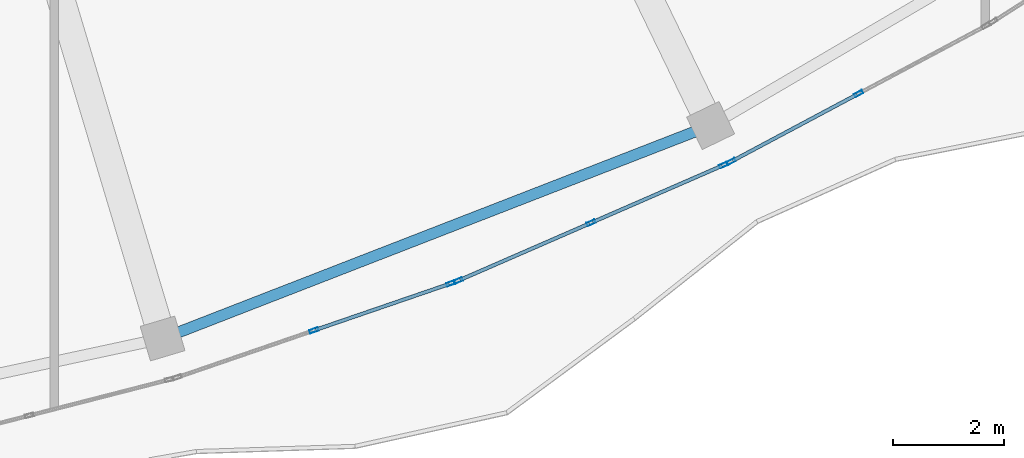
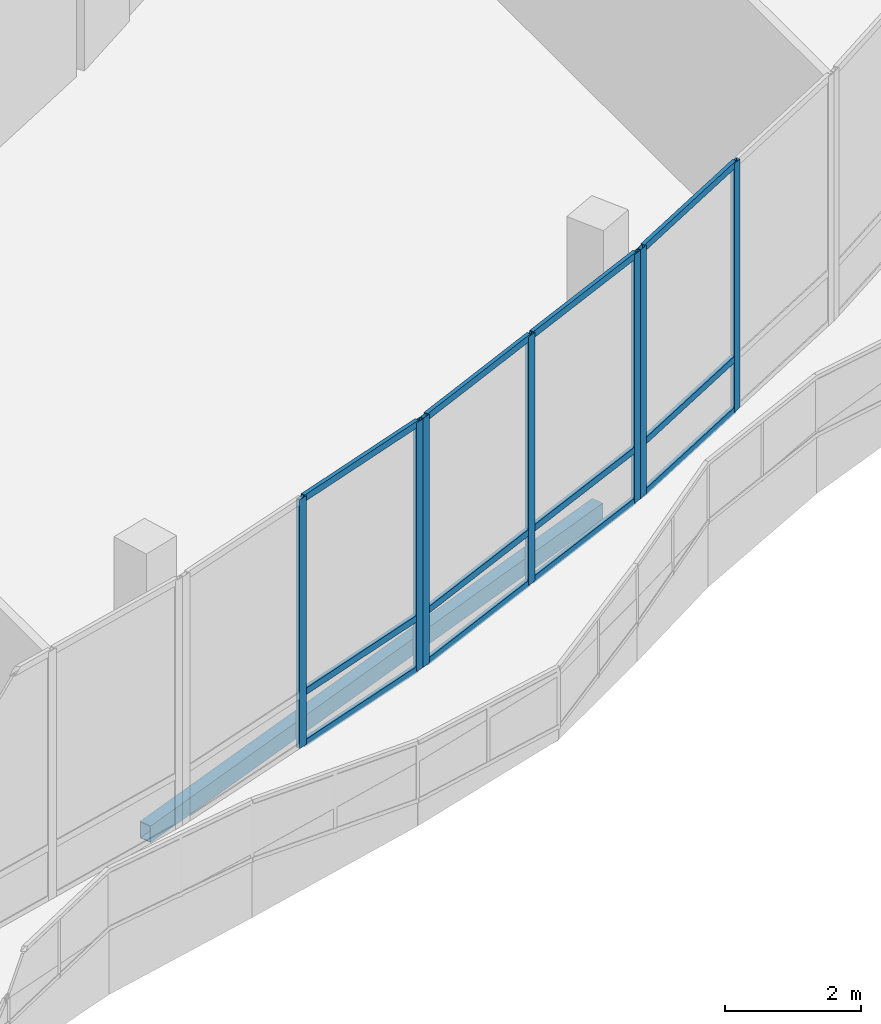
# One storey, part 39 of 155: 19 members, 1 beam, 3 elements without a shape of their own.
"""IFC4 building model written with IfcOpenShell, lengths in metres."""

import ifcopenshell
import ifcopenshell.guid

model = None  # the IFC model being written
_history = None  # IfcOwnerHistory: only IFC2X3 demands one
_inside = {}  # id of a spatial element -> (the spatial element, [elements in it])
_under = {}  # id of a project, library or spatial element -> (it, [spatial elements below it])
_declared = {}  # id of a project -> (the project, [libraries it declares])
_typed = {}  # id of a type object -> (the type object, [elements of that type])
_made_of = {}  # id of a material, layer set ... -> (it, [elements and type objects made of it])


def new_model(schema):
    """Start an empty IFC model of exactly this schema.

    Asked for "IFC4X3", IfcOpenShell would pick the latest addendum, in which some entities
    have other attributes; the version numbers below select the first issue.
    IFC2X3 requires an IfcOwnerHistory on every rooted entity: one is made here for all.
    """
    global model, _history
    if schema == "IFC4X3":
        model = ifcopenshell.file(schema_version=(4, 3, 0, 0))
    else:
        model = ifcopenshell.file(schema=schema)
    _inside.clear()
    _under.clear()
    _declared.clear()
    _typed.clear()
    _made_of.clear()
    _history = None
    if model.schema == "IFC2X3":
        org = make("IfcOrganization", Name="unknown")
        user = make(
            "IfcPersonAndOrganization",
            ThePerson=make("IfcPerson", FamilyName="unknown"),
            TheOrganization=org,
        )
        app = make(
            "IfcApplication",
            ApplicationDeveloper=org,
            Version="unknown",
            ApplicationFullName="unknown",
            ApplicationIdentifier="unknown",
        )
        _history = make(
            "IfcOwnerHistory",
            OwningUser=user,
            OwningApplication=app,
            ChangeAction="ADDED",
            CreationDate=0,
        )
    return model


def make(cls, **values):
    """One entity of the class cls with the attributes given. An attribute that is None is left unset."""
    return model.create_entity(
        cls, **{name: value for name, value in values.items() if value is not None}
    )


def rooted(cls, **values):
    """An entity with a GlobalId (a new one), such as an element, a storey or a relation."""
    return make(cls, GlobalId=ifcopenshell.guid.new(), OwnerHistory=_history, **values)


def si_unit(unit_type, name, prefix=None):
    """IfcSIUnit, for example si_unit("LENGTHUNIT", "METRE", prefix="MILLI")."""
    return make("IfcSIUnit", UnitType=unit_type, Prefix=prefix, Name=name)


def assignment(units):
    """IfcUnitAssignment: the units of a project."""
    return None if units is None else make("IfcUnitAssignment", Units=units)


def point(xyz):
    """IfcCartesianPoint."""
    return None if xyz is None else make("IfcCartesianPoint", Coordinates=xyz)


def direction(xyz):
    """IfcDirection."""
    return None if xyz is None else make("IfcDirection", DirectionRatios=xyz)


def frame(location, z_axis=None, x_axis=None):
    """IfcAxis2Placement3D, a coordinate frame: its origin and axes. An axis left out is left unset."""
    return make(
        "IfcAxis2Placement3D",
        Location=point(location),
        Axis=direction(z_axis),
        RefDirection=direction(x_axis),
    )


def frame_2d(location, x_axis=None):
    """IfcAxis2Placement2D, a coordinate frame in the plane: its origin and x axis."""
    return make(
        "IfcAxis2Placement2D", Location=point(location), RefDirection=direction(x_axis)
    )


def origin():
    """The frame at (0, 0, 0) with its axes left unset."""
    return frame((0.0, 0.0, 0.0))


def origin_2d():
    """The frame at (0, 0) in the plane with its x axis left unset."""
    return frame_2d((0.0, 0.0))


def place(relative_to, where):
    """IfcLocalPlacement: puts the frame where relative to a parent placement (None: the world)."""
    return make(
        "IfcLocalPlacement", PlacementRelTo=relative_to, RelativePlacement=where
    )


def context(
    kind, dimensions, precision=None, world=None, true_north=None, identifier=None
):
    """IfcGeometricRepresentationContext, for example the 3D "Model" context."""
    return make(
        "IfcGeometricRepresentationContext",
        ContextIdentifier=identifier,
        ContextType=kind,
        CoordinateSpaceDimension=dimensions,
        Precision=precision,
        WorldCoordinateSystem=world,
        TrueNorth=true_north,
    )


def subcontext(parent, identifier, kind, view, scale=None):
    """IfcGeometricRepresentationSubContext, for example "Body" below "Model"."""
    return make(
        "IfcGeometricRepresentationSubContext",
        ContextIdentifier=identifier,
        ContextType=kind,
        ParentContext=parent,
        TargetScale=scale,
        TargetView=view,
    )


def project(units=None, contexts=None):
    """IfcProject with its units and contexts."""
    return rooted(
        "IfcProject",
        Name="project",
        RepresentationContexts=contexts,
        UnitsInContext=assignment(units),
    )


def spatial(cls, under=None, at=None, **own):
    """A site, building, storey or space (cls), placed at a placement, below another one or the project."""
    s = rooted(cls, ObjectPlacement=at, **own)
    if under is not None:
        _under.setdefault(under.id(), (under, []))[1].append(s)
    return s


def profile(cls, at=None, kind="AREA", **sizes):
    """A parametric profile (cls). Its sizes go by their IFC names, for example OverallWidth=200.0."""
    return make(cls, ProfileType=kind, Position=at, **sizes)


def hollow_rectangle(**sizes):
    """IfcRectangleHollowProfileDef."""
    return profile("IfcRectangleHollowProfileDef", **sizes)


def extrude(swept, where, along, depth):
    """IfcExtrudedAreaSolid: the profile swept, set in the frame where, extruded along a direction by depth."""
    return make(
        "IfcExtrudedAreaSolid",
        SweptArea=swept,
        Position=where,
        ExtrudedDirection=direction(along),
        Depth=depth,
    )


def shape(context_of_items, identifier, shape_type, items):
    """IfcShapeRepresentation: the items that make up one representation, for example the "Body"."""
    return make(
        "IfcShapeRepresentation",
        ContextOfItems=context_of_items,
        RepresentationIdentifier=identifier,
        RepresentationType=shape_type,
        Items=items,
    )


def material(Name=None, Category=None):
    """IfcMaterial."""
    return make("IfcMaterial", Name=Name, Category=Category)


def material_profile(
    of_material, cross_section, Name=None, Category=None, Priority=None
):
    """IfcMaterialProfile: a cross section and its material."""
    return make(
        "IfcMaterialProfile",
        Name=Name,
        Material=of_material,
        Profile=cross_section,
        Priority=Priority,
        Category=Category,
    )


def profile_set(profiles, Name=None, composite=None):
    """IfcMaterialProfileSet."""
    return make(
        "IfcMaterialProfileSet",
        Name=Name,
        MaterialProfiles=profiles,
        CompositeProfile=composite,
    )


def made_of(thing, what):
    """Note that an element or type object is made of a material, layer set ...; save() writes the relation."""
    if what is not None:
        _made_of.setdefault(what.id(), (what, []))[1].append(thing)
    return thing


def type_object(cls, material=None, **own):
    """A type object (cls), such as IfcWallType, which elements share."""
    return made_of(rooted(cls, **own), material)


def element(
    cls,
    number,
    at=None,
    inside=None,
    cuts=None,
    type_object=None,
    material=None,
    context=None,
    identifier="Body",
    shape_type=None,
    held_by="IfcProductDefinitionShape",
    body=None,
    shapes=None,
    **own,
):
    """One element of the class cls, such as IfcWall. Its Tag is "e" and its number.

    at: its placement. inside: the storey or other place that contains it. cuts: it is an
    opening in that element (IfcRelVoidsElement). A single representation is given by context,
    identifier, shape_type and body (its items); several are given by shapes. held_by: the class
    of the entity that holds the representations. save() writes the other relations.
    """
    e = rooted(cls, Tag="e%d" % number, ObjectPlacement=at, **own)
    if body is not None:
        shapes = [shape(context, identifier, shape_type, body)]
    if shapes is not None:
        e.Representation = make(held_by, Representations=shapes)
    if inside is not None:
        _inside.setdefault(inside.id(), (inside, []))[1].append(e)
    if cuts is not None:
        rooted(
            "IfcRelVoidsElement", RelatingBuildingElement=cuts, RelatedOpeningElement=e
        )
    if type_object is not None:
        _typed.setdefault(type_object.id(), (type_object, []))[1].append(e)
    return made_of(e, material)


def aggregate(whole, parts):
    """IfcRelAggregates: a whole, such as a stair, and the parts it consists of."""
    return rooted("IfcRelAggregates", RelatingObject=whole, RelatedObjects=parts)


def save(model, path):
    """Write the relations noted so far, then the file.

    IfcRelAggregates (storeys below a building ...), IfcRelContainedInSpatialStructure (elements
    in a storey), IfcRelDefinesByType, IfcRelAssociatesMaterial and IfcRelDeclares: one each for
    every whole, place, type object, material and project.
    """
    for whole, parts in _under.values():
        aggregate(whole, parts)
    for where, things in _inside.values():
        rooted(
            "IfcRelContainedInSpatialStructure",
            RelatedElements=things,
            RelatingStructure=where,
        )
    for kind, things in _typed.values():
        rooted("IfcRelDefinesByType", RelatedObjects=things, RelatingType=kind)
    for what, things in _made_of.values():
        rooted("IfcRelAssociatesMaterial", RelatedObjects=things, RelatingMaterial=what)
    for by, libraries in _declared.values():
        rooted("IfcRelDeclares", RelatingContext=by, RelatedDefinitions=libraries)
    model.write(path)


model = new_model("IFC4")

# Units and contexts
model_context = context("Model", 3, precision=1e-05, world=origin(), true_north=direction((0.0, 1.0)))
body_context = subcontext(model_context, "Body", "Model", "MODEL_VIEW")
ifc_project = project(units=[si_unit("LENGTHUNIT", "METRE"), si_unit("AREAUNIT", "SQUARE_METRE"), si_unit("VOLUMEUNIT", "CUBIC_METRE"), si_unit("PLANEANGLEUNIT", "RADIAN"), si_unit("MASSUNIT", "GRAM", prefix="KILO")], contexts=[model_context])

# Site, building, storey
site_placement = place(None, origin())
site = spatial("IfcSite", under=ifc_project, at=site_placement, CompositionType="ELEMENT")
building_placement = place(site_placement, origin())
building = spatial("IfcBuilding", under=site, at=building_placement, Name="Selatvlak General Hospital", CompositionType="ELEMENT")
storey_placement = place(building_placement, frame((0.0, 0.0, 10.199951171875)))
storey = spatial("IfcBuildingStorey", under=building, at=storey_placement, Name="L02", CompositionType="ELEMENT", Elevation=10.199951171875)

# Beam
ifc_material_1 = material(Name="Steel S355", Category="steel")
ifc_material_profile_1 = material_profile(ifc_material_1, hollow_rectangle(XDim=0.199951171875, YDim=0.300048828125, WallThickness=0.011962890625, at=origin_2d()), Name="RHS 300x200x12")
ifc_profile_set_1 = profile_set([ifc_material_profile_1], Name="Steel S355")
beam_type = type_object("IfcBeamType", Name="BM-SP3", PredefinedType="SPANDREL", material=ifc_profile_set_1)
beam_placement = place(storey_placement, frame((75.155029296875, 15.556884765625, -0.5048828125), z_axis=(0.932089721368, 0.362227485596, 0.0), x_axis=(-0.362227485596, 0.932089721368, 0.0)))
element("IfcBeam", 1, at=beam_placement, inside=storey, type_object=beam_type, Name="Beam BMR-L02-1143", PredefinedType="SPANDREL", context=body_context, shape_type="SweptSolid", body=[
    extrude(hollow_rectangle(XDim=0.199951171875, YDim=0.300048828125, WallThickness=0.011962890625, at=origin_2d()), origin(), (0.0, 0.0, 1.0), 10.609375),
])

# Curtain wall, members
ifc_material_2 = material(Name="Solar-control Low-E double glazing", Category="glass")
curtain_wall_type_1 = type_object("IfcCurtainWallType", Name="CW-CW-02", PredefinedType="USERDEFINED", material=ifc_material_2)
curtain_wall_1_placement = place(storey_placement, origin())
curtain_wall_1 = element("IfcCurtainWall", 2, at=curtain_wall_1_placement, inside=storey, type_object=curtain_wall_type_1, Name="Glazed facade curtain wall CW-L02-0300", ObjectType="UNITISED CURTAIN WALL", PredefinedType="USERDEFINED")
ifc_material_3 = material(Name="Dark anodised aluminium mullion", Category="aluminium")
ifc_material_profile_2 = material_profile(ifc_material_3, hollow_rectangle(XDim=0.06494140625, YDim=0.159912109375, WallThickness=0.00390625, at=origin_2d()), Name="AL-MUL 65x160x4")
ifc_profile_set_2 = profile_set([ifc_material_profile_2], Name="Dark anodised aluminium mullion")
member_type_1 = type_object("IfcMemberType", Name="CWM-01", PredefinedType="MULLION", material=ifc_profile_set_2)
member_1_placement = place(storey_placement, frame((87.715576171875, 19.97607421875, 0.0), z_axis=(0.0, 0.0, 1.0), x_axis=(0.470450719515, -0.882426269162, 0.0)))
member_1 = element("IfcMember", 3, at=member_1_placement, type_object=member_type_1, Name="CW-02 mullion 2", PredefinedType="MULLION", context=body_context, shape_type="SweptSolid", body=[
    extrude(hollow_rectangle(XDim=0.06494140625, YDim=0.159912109375, WallThickness=0.00390625, at=origin_2d()), origin(), (0.0, 0.0, 1.0), 4.4599609375),
])
member_2_placement = place(storey_placement, frame((85.41259765625, 18.748291015625, 0.0), z_axis=(0.0, 0.0, 1.0), x_axis=(0.470450719515, -0.882426269162, 0.0)))
member_2 = element("IfcMember", 4, at=member_2_placement, type_object=member_type_1, Name="CW-02 mullion 3", PredefinedType="MULLION", context=body_context, shape_type="SweptSolid", body=[
    extrude(hollow_rectangle(XDim=0.06494140625, YDim=0.159912109375, WallThickness=0.00390625, at=origin_2d()), origin(), (0.0, 0.0, 1.0), 4.4599609375),
])

curtain_wall_type_2 = type_object("IfcCurtainWallType", Name="CW-CW-01", PredefinedType="USERDEFINED", material=ifc_material_2)
curtain_wall_2_placement = place(storey_placement, origin())
curtain_wall_2 = element("IfcCurtainWall", 5, at=curtain_wall_2_placement, inside=storey, type_object=curtain_wall_type_2, Name="Glazed facade curtain wall CW-L02-0301", ObjectType="UNITISED CURTAIN WALL", PredefinedType="USERDEFINED")
member_3_placement = place(storey_placement, frame((85.28125, 18.68701171875, 0.0), z_axis=(0.0, 0.0, 1.0), x_axis=(0.399389828763, -0.916781197822, 0.0)))
member_3 = element("IfcMember", 6, at=member_3_placement, type_object=member_type_1, Name="CW-01 mullion 1", PredefinedType="MULLION", context=body_context, shape_type="SweptSolid", body=[
    extrude(hollow_rectangle(XDim=0.06494140625, YDim=0.159912109375, WallThickness=0.00390625, at=origin_2d()), origin(), (0.0, 0.0, 1.0), 4.4599609375),
])
member_4_placement = place(storey_placement, frame((82.886962890625, 17.64404296875, 0.0), z_axis=(0.0, 0.0, 1.0), x_axis=(0.399389828763, -0.916781197822, 0.0)))
member_4 = element("IfcMember", 7, at=member_4_placement, type_object=member_type_1, Name="CW-01 mullion 2", PredefinedType="MULLION", context=body_context, shape_type="SweptSolid", body=[
    extrude(hollow_rectangle(XDim=0.06494140625, YDim=0.159912109375, WallThickness=0.00390625, at=origin_2d()), origin(), (0.0, 0.0, 1.0), 4.4599609375),
])
member_5_placement = place(storey_placement, frame((80.49267578125, 16.60107421875, 0.0), z_axis=(0.0, 0.0, 1.0), x_axis=(0.399389828763, -0.916781197822, 0.0)))
member_5 = element("IfcMember", 8, at=member_5_placement, type_object=member_type_1, Name="CW-01 mullion 3", PredefinedType="MULLION", context=body_context, shape_type="SweptSolid", body=[
    extrude(hollow_rectangle(XDim=0.06494140625, YDim=0.159912109375, WallThickness=0.00390625, at=origin_2d()), origin(), (0.0, 0.0, 1.0), 4.4599609375),
])

curtain_wall_3_placement = place(storey_placement, origin())
curtain_wall_3 = element("IfcCurtainWall", 9, at=curtain_wall_3_placement, inside=storey, type_object=curtain_wall_type_1, Name="Glazed facade curtain wall CW-L02-0302", ObjectType="UNITISED CURTAIN WALL", PredefinedType="USERDEFINED")
member_6_placement = place(storey_placement, frame((80.357177734375, 16.550537109375, 0.0), z_axis=(0.0, 0.0, 1.0), x_axis=(0.324609481996, -0.945848129563, 0.0)))
member_6 = element("IfcMember", 10, at=member_6_placement, type_object=member_type_1, Name="CW-02 mullion 1", PredefinedType="MULLION", context=body_context, shape_type="SweptSolid", body=[
    extrude(hollow_rectangle(XDim=0.06494140625, YDim=0.159912109375, WallThickness=0.00390625, at=origin_2d()), origin(), (0.0, 0.0, 1.0), 4.4599609375),
])
member_7_placement = place(storey_placement, frame((77.886474609375, 15.702392578125, 0.0), z_axis=(0.0, 0.0, 1.0), x_axis=(0.324609481996, -0.945848129563, 0.0)))
member_7 = element("IfcMember", 11, at=member_7_placement, type_object=member_type_1, Name="CW-02 mullion 2", PredefinedType="MULLION", context=body_context, shape_type="SweptSolid", body=[
    extrude(hollow_rectangle(XDim=0.06494140625, YDim=0.159912109375, WallThickness=0.00390625, at=origin_2d()), origin(), (0.0, 0.0, 1.0), 4.4599609375),
])

# Member
ifc_material_profile_3 = material_profile(ifc_material_3, hollow_rectangle(XDim=0.06494140625, YDim=0.1201171875, WallThickness=0.00390625, at=origin_2d()), Name="AL-TRN 65x120x4")
ifc_profile_set_3 = profile_set([ifc_material_profile_3], Name="Dark anodised aluminium mullion")
member_type_2 = type_object("IfcMemberType", Name="CWT-01", PredefinedType="USERDEFINED", material=ifc_profile_set_3)
member_8_placement = place(storey_placement, frame((87.686767578125, 19.960693359375, 0.032470703125), z_axis=(-0.882435263812, -0.470433847827, 0.0), x_axis=(0.470433847827, -0.882435263812, 0.0)))
member_8 = element("IfcMember", 12, at=member_8_placement, type_object=member_type_2, Name="CW-02 transom 2.1", ObjectType="TRANSOM", PredefinedType="USERDEFINED", context=body_context, shape_type="SweptSolid", body=[
    extrude(hollow_rectangle(XDim=0.06494140625, YDim=0.1201171875, WallThickness=0.00390625, at=origin_2d()), origin(), (0.0, 0.0, 1.0), 2.54443359375),
])

member_9_placement = place(storey_placement, frame((87.686767578125, 19.960693359375, 0.949951171875), z_axis=(-0.882435263812, -0.470433847827, 0.0), x_axis=(0.470433847827, -0.882435263812, 0.0)))
member_9 = element("IfcMember", 13, at=member_9_placement, type_object=member_type_2, Name="CW-02 transom 2.2", ObjectType="TRANSOM", PredefinedType="USERDEFINED", context=body_context, shape_type="SweptSolid", body=[
    extrude(hollow_rectangle(XDim=0.06494140625, YDim=0.1201171875, WallThickness=0.00390625, at=origin_2d()), origin(), (0.0, 0.0, 1.0), 2.54443359375),
])

member_10_placement = place(storey_placement, frame((87.686767578125, 19.960693359375, 4.427490234375), z_axis=(-0.882435263812, -0.470433847827, 0.0), x_axis=(0.470433847827, -0.882435263812, 0.0)))
member_10 = element("IfcMember", 14, at=member_10_placement, type_object=member_type_2, Name="CW-02 transom 2.3", ObjectType="TRANSOM", PredefinedType="USERDEFINED", context=body_context, shape_type="SweptSolid", body=[
    extrude(hollow_rectangle(XDim=0.06494140625, YDim=0.1201171875, WallThickness=0.00390625, at=origin_2d()), origin(), (0.0, 0.0, 1.0), 2.54443359375),
])

aggregate(curtain_wall_1, [member_1, member_2, member_8, member_9, member_10])

member_11_placement = place(storey_placement, frame((85.25146484375, 18.674072265625, 0.032470703125), z_axis=(-0.916783283097, -0.399385042077, 0.0), x_axis=(0.399385042077, -0.916783283097, 0.0)))
member_11 = element("IfcMember", 15, at=member_11_placement, type_object=member_type_2, Name="CW-01 transom 1.1", ObjectType="TRANSOM", PredefinedType="USERDEFINED", context=body_context, shape_type="SweptSolid", body=[
    extrude(hollow_rectangle(XDim=0.06494140625, YDim=0.1201171875, WallThickness=0.00390625, at=origin_2d()), origin(), (0.0, 0.0, 1.0), 2.546630859375),
])

member_12_placement = place(storey_placement, frame((85.25146484375, 18.674072265625, 0.949951171875), z_axis=(-0.916783283097, -0.399385042077, 0.0), x_axis=(0.399385042077, -0.916783283097, 0.0)))
member_12 = element("IfcMember", 16, at=member_12_placement, type_object=member_type_2, Name="CW-01 transom 1.2", ObjectType="TRANSOM", PredefinedType="USERDEFINED", context=body_context, shape_type="SweptSolid", body=[
    extrude(hollow_rectangle(XDim=0.06494140625, YDim=0.1201171875, WallThickness=0.00390625, at=origin_2d()), origin(), (0.0, 0.0, 1.0), 2.546630859375),
])

member_13_placement = place(storey_placement, frame((85.25146484375, 18.674072265625, 4.427490234375), z_axis=(-0.916783283097, -0.399385042077, 0.0), x_axis=(0.399385042077, -0.916783283097, 0.0)))
member_13 = element("IfcMember", 17, at=member_13_placement, type_object=member_type_2, Name="CW-01 transom 1.3", ObjectType="TRANSOM", PredefinedType="USERDEFINED", context=body_context, shape_type="SweptSolid", body=[
    extrude(hollow_rectangle(XDim=0.06494140625, YDim=0.1201171875, WallThickness=0.00390625, at=origin_2d()), origin(), (0.0, 0.0, 1.0), 2.546630859375),
])

member_14_placement = place(storey_placement, frame((82.857177734375, 17.631103515625, 0.032470703125), z_axis=(-0.916767989368, -0.399420146801, 0.0), x_axis=(0.399420146801, -0.916767989368, 0.0)))
member_14 = element("IfcMember", 18, at=member_14_placement, type_object=member_type_2, Name="CW-01 transom 2.1", ObjectType="TRANSOM", PredefinedType="USERDEFINED", context=body_context, shape_type="SweptSolid", body=[
    extrude(hollow_rectangle(XDim=0.06494140625, YDim=0.1201171875, WallThickness=0.00390625, at=origin_2d()), origin(), (0.0, 0.0, 1.0), 2.54638671875),
])

member_15_placement = place(storey_placement, frame((82.857177734375, 17.631103515625, 0.949951171875), z_axis=(-0.916767989368, -0.399420146801, 0.0), x_axis=(0.399420146801, -0.916767989368, 0.0)))
member_15 = element("IfcMember", 19, at=member_15_placement, type_object=member_type_2, Name="CW-01 transom 2.2", ObjectType="TRANSOM", PredefinedType="USERDEFINED", context=body_context, shape_type="SweptSolid", body=[
    extrude(hollow_rectangle(XDim=0.06494140625, YDim=0.1201171875, WallThickness=0.00390625, at=origin_2d()), origin(), (0.0, 0.0, 1.0), 2.54638671875),
])

member_16_placement = place(storey_placement, frame((82.857177734375, 17.631103515625, 4.427490234375), z_axis=(-0.916767989368, -0.399420146801, 0.0), x_axis=(0.399420146801, -0.916767989368, 0.0)))
member_16 = element("IfcMember", 20, at=member_16_placement, type_object=member_type_2, Name="CW-01 transom 2.3", ObjectType="TRANSOM", PredefinedType="USERDEFINED", context=body_context, shape_type="SweptSolid", body=[
    extrude(hollow_rectangle(XDim=0.06494140625, YDim=0.1201171875, WallThickness=0.00390625, at=origin_2d()), origin(), (0.0, 0.0, 1.0), 2.54638671875),
])

aggregate(curtain_wall_2, [member_3, member_4, member_5, member_11, member_12, member_13, member_14, member_15, member_16])

member_17_placement = place(storey_placement, frame((80.326416015625, 16.539794921875, 0.032470703125), z_axis=(-0.945866939821, -0.324554667434, 0.0), x_axis=(0.324554667434, -0.945866939821, 0.0)))
member_17 = element("IfcMember", 21, at=member_17_placement, type_object=member_type_2, Name="CW-02 transom 1.1", ObjectType="TRANSOM", PredefinedType="USERDEFINED", context=body_context, shape_type="SweptSolid", body=[
    extrude(hollow_rectangle(XDim=0.06494140625, YDim=0.1201171875, WallThickness=0.00390625, at=origin_2d()), origin(), (0.0, 0.0, 1.0), 2.547119140625),
])

member_18_placement = place(storey_placement, frame((80.326416015625, 16.539794921875, 0.949951171875), z_axis=(-0.945866939821, -0.324554667434, 0.0), x_axis=(0.324554667434, -0.945866939821, 0.0)))
member_18 = element("IfcMember", 22, at=member_18_placement, type_object=member_type_2, Name="CW-02 transom 1.2", ObjectType="TRANSOM", PredefinedType="USERDEFINED", context=body_context, shape_type="SweptSolid", body=[
    extrude(hollow_rectangle(XDim=0.06494140625, YDim=0.1201171875, WallThickness=0.00390625, at=origin_2d()), origin(), (0.0, 0.0, 1.0), 2.547119140625),
])

member_19_placement = place(storey_placement, frame((80.326416015625, 16.539794921875, 4.427490234375), z_axis=(-0.945866939821, -0.324554667434, 0.0), x_axis=(0.324554667434, -0.945866939821, 0.0)))
member_19 = element("IfcMember", 23, at=member_19_placement, type_object=member_type_2, Name="CW-02 transom 1.3", ObjectType="TRANSOM", PredefinedType="USERDEFINED", context=body_context, shape_type="SweptSolid", body=[
    extrude(hollow_rectangle(XDim=0.06494140625, YDim=0.1201171875, WallThickness=0.00390625, at=origin_2d()), origin(), (0.0, 0.0, 1.0), 2.547119140625),
])

aggregate(curtain_wall_3, [member_6, member_7, member_17, member_18, member_19])

save(model, "model.ifc")
